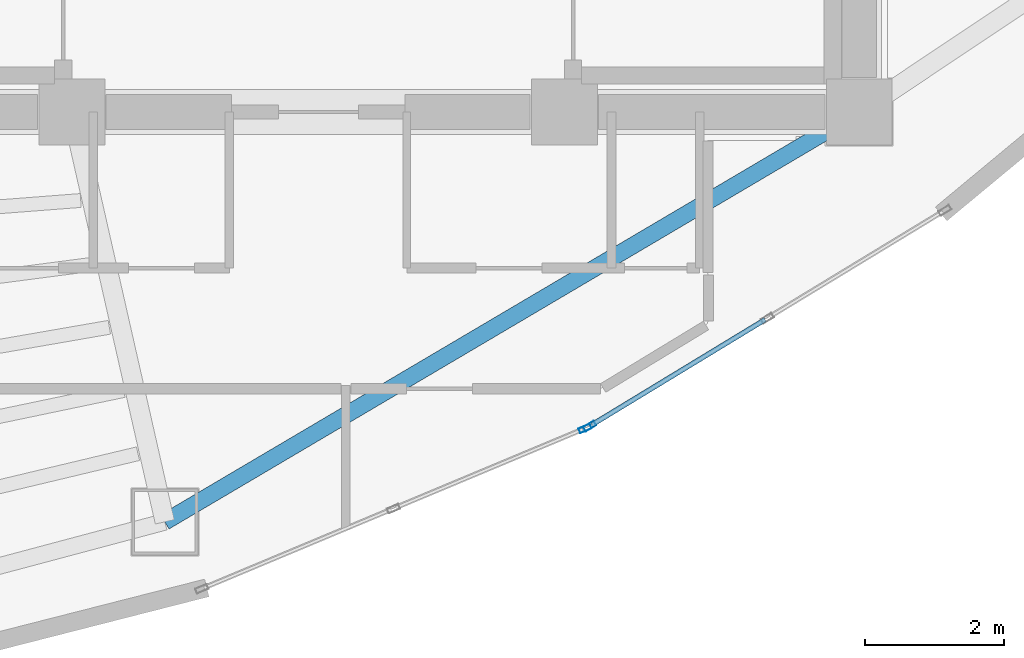
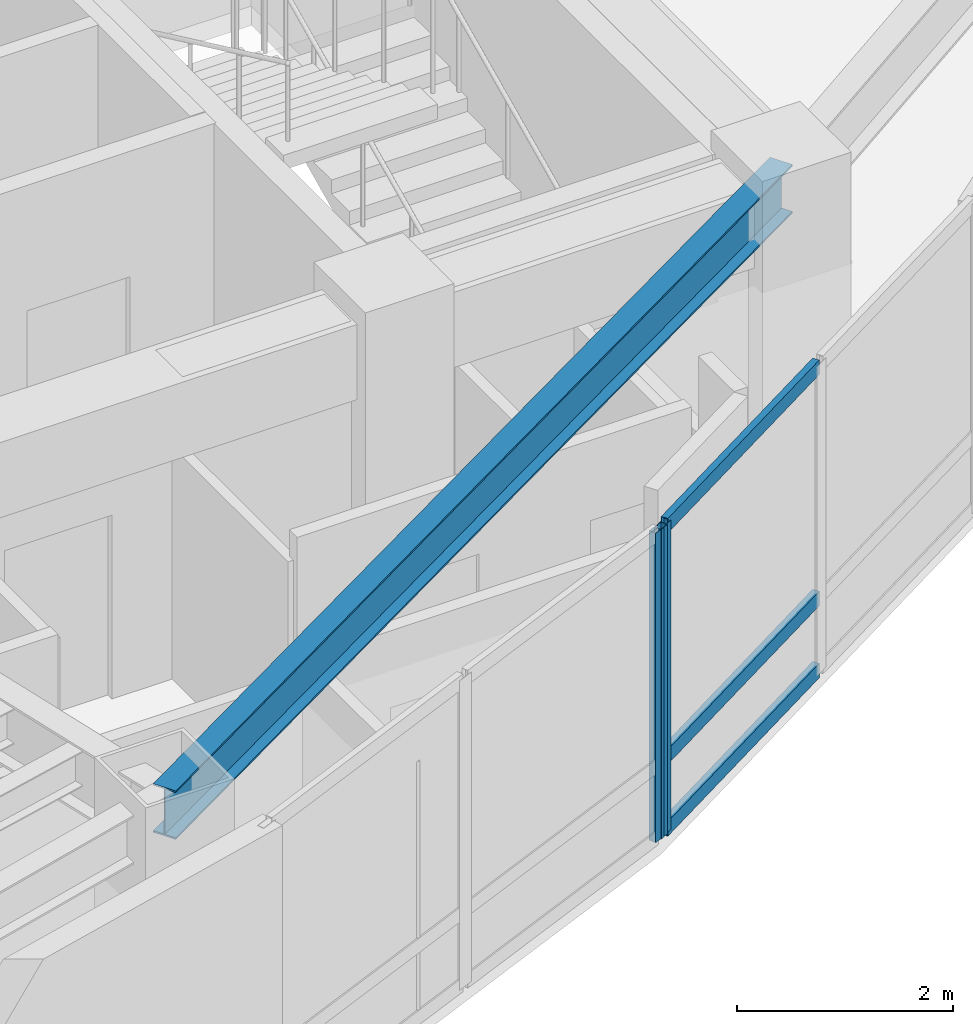
# One storey, part 4 of 16: 5 members, 1 beam, 2 elements without a shape of their own.
"""IFC4 building model written with IfcOpenShell, lengths in metres."""

from ifc_helpers import new_model, si_unit, direction, frame, origin, origin_2d, place, context, subcontext, project, spatial, hollow_rectangle, i_section, extrude, material, layer, layer_set, material_profile, profile_set, type_object, element, aggregate, save


model = new_model("IFC4")

# Units and contexts
model_context = context("Model", 3, precision=1e-05, world=origin(), true_north=direction((0.0, 1.0)))
body_context = subcontext(model_context, "Body", "Model", "MODEL_VIEW")
ifc_project = project(units=[si_unit("LENGTHUNIT", "METRE"), si_unit("AREAUNIT", "SQUARE_METRE"), si_unit("VOLUMEUNIT", "CUBIC_METRE"), si_unit("PLANEANGLEUNIT", "RADIAN"), si_unit("MASSUNIT", "GRAM", prefix="KILO")], contexts=[model_context])

# Site, building, storey
site_placement = place(None, origin())
site = spatial("IfcSite", under=ifc_project, at=site_placement, CompositionType="ELEMENT")
building_placement = place(site_placement, origin())
building = spatial("IfcBuilding", under=site, at=building_placement, Name="Menara Vayukalpa", CompositionType="ELEMENT")
storey_placement = place(building_placement, frame((0.0, 0.0, 198.9599609375)))
storey = spatial("IfcBuildingStorey", under=building, at=storey_placement, Name="L50", CompositionType="ELEMENT", Elevation=198.9599609375)

# Beam
ifc_material_1 = material(Name="Steel S355", Category="steel")
ifc_material_profile_1 = material_profile(ifc_material_1, i_section(OverallWidth=0.239990234375, OverallDepth=0.550048828125, WebThickness=0.010986328125, FlangeThickness=0.01904296875, at=origin_2d()), Name="WF 550x240x11x19")
ifc_profile_set_1 = profile_set([ifc_material_profile_1], Name="Steel S355")
beam_type = type_object("IfcBeamType", Name="BM-SP2", PredefinedType="SPANDREL", material=ifc_profile_set_1)
beam_placement = place(storey_placement, frame((23.389404296875, 11.29150390625, 3.22509765625), z_axis=(0.861184403346, 0.508292655302, 0.0), x_axis=(-0.508292655302, 0.861184403346, 0.0)))
element("IfcBeam", 1, at=beam_placement, inside=storey, type_object=beam_type, Name="L50 Perimeter Spandrel Beam SP08", PredefinedType="SPANDREL", context=body_context, shape_type="SweptSolid", body=[
    extrude(i_section(OverallWidth=0.239990234375, OverallDepth=0.550048828125, WebThickness=0.010986328125, FlangeThickness=0.01904296875, at=origin_2d()), origin(), (0.0, 0.0, 1.0), 11.6240234375),
])

# Curtain wall, member
ifc_material_2 = material(Name="Anodised Terracotta Aluminium Alloy 6063-T6", Category="masonry")
ifc_layer = layer(ifc_material_2, 0.179931640625)
ifc_layer_set = layer_set([ifc_layer], Name="Anodised Terracotta Aluminium Alloy 6063-T6")
curtain_wall_type = type_object("IfcCurtainWallType", Name="CW-CW4", PredefinedType="USERDEFINED", material=ifc_layer_set)
curtain_wall_1_placement = place(storey_placement, origin())
curtain_wall_1 = element("IfcCurtainWall", 2, at=curtain_wall_1_placement, inside=storey, type_object=curtain_wall_type, Name="L50 Sky Bar Cantilever Glazed Curtain Wall CW4 19", ObjectType="UNITISED", PredefinedType="USERDEFINED")
ifc_material_3 = material(Name="Anodised Terracotta Aluminium Alloy 6063-T6", Category="masonry")
ifc_material_profile_2 = material_profile(ifc_material_3, hollow_rectangle(XDim=0.074951171875, YDim=0.179931640625, WallThickness=0.00390625, at=origin_2d()), Name="ALU 75x180x4")
ifc_profile_set_2 = profile_set([ifc_material_profile_2], Name="Anodised Terracotta Aluminium Alloy 6063-T6")
member_type_1 = type_object("IfcMemberType", Name="CWM-CW4", PredefinedType="MULLION", material=ifc_profile_set_2)
member_1_placement = place(storey_placement, frame((29.44921875, 12.637451171875, 0.0), z_axis=(0.0, 0.0, 1.0), x_axis=(-0.385902834406, 0.922539431351, 0.0)))
member_1 = element("IfcMember", 3, at=member_1_placement, type_object=member_type_1, Name="CW4 mullion 3", PredefinedType="MULLION", context=body_context, shape_type="SweptSolid", body=[
    extrude(hollow_rectangle(XDim=0.074951171875, YDim=0.179931640625, WallThickness=0.00390625, at=origin_2d()), origin(), (0.0, 0.0, 1.0), 3.5),
])
aggregate(curtain_wall_1, [member_1])

# Curtain wall, members
curtain_wall_2_placement = place(storey_placement, origin())
curtain_wall_2 = element("IfcCurtainWall", 4, at=curtain_wall_2_placement, inside=storey, type_object=curtain_wall_type, Name="L50 Sky Bar Cantilever Glazed Curtain Wall CW4 20", ObjectType="UNITISED", PredefinedType="USERDEFINED")
member_2_placement = place(storey_placement, frame((29.515869140625, 12.67138671875, 0.0), z_axis=(0.0, 0.0, 1.0), x_axis=(-0.519179911779, 0.854664974832, 0.0)))
member_2 = element("IfcMember", 5, at=member_2_placement, type_object=member_type_1, Name="CW4 mullion 1", PredefinedType="MULLION", context=body_context, shape_type="SweptSolid", body=[
    extrude(hollow_rectangle(XDim=0.074951171875, YDim=0.179931640625, WallThickness=0.00390625, at=origin_2d()), origin(), (0.0, 0.0, 1.0), 3.5),
])
ifc_material_4 = material(Name="Anodised Terracotta Aluminium Alloy 6063-T6", Category="masonry")
ifc_material_profile_3 = material_profile(ifc_material_4, hollow_rectangle(XDim=0.070068359375, YDim=0.1650390625, WallThickness=0.00390625, at=origin_2d()), Name="ALU 70x165x4")
ifc_profile_set_3 = profile_set([ifc_material_profile_3], Name="Anodised Terracotta Aluminium Alloy 6063-T6")
member_type_2 = type_object("IfcMemberType", Name="CWT-CW4", PredefinedType="USERDEFINED", material=ifc_profile_set_3)
member_3_placement = place(storey_placement, frame((29.5478515625, 12.69091796875, 0.03515625), z_axis=(0.854684171336, 0.519148309511, 0.0), x_axis=(-0.519148309511, 0.854684171336, 0.0)))
member_3 = element("IfcMember", 6, at=member_3_placement, type_object=member_type_2, Name="CW4 transom 1.1", ObjectType="TRANSOM", PredefinedType="USERDEFINED", context=body_context, shape_type="SweptSolid", body=[
    extrude(hollow_rectangle(XDim=0.070068359375, YDim=0.1650390625, WallThickness=0.00390625, at=origin_2d()), origin(), (0.0, 0.0, 1.0), 2.919921875),
])
member_4_placement = place(storey_placement, frame((29.5478515625, 12.69091796875, 0.85009765625), z_axis=(0.854684171336, 0.519148309511, 0.0), x_axis=(-0.519148309511, 0.854684171336, 0.0)))
member_4 = element("IfcMember", 7, at=member_4_placement, type_object=member_type_2, Name="CW4 transom 1.2", ObjectType="TRANSOM", PredefinedType="USERDEFINED", context=body_context, shape_type="SweptSolid", body=[
    extrude(hollow_rectangle(XDim=0.070068359375, YDim=0.1650390625, WallThickness=0.00390625, at=origin_2d()), origin(), (0.0, 0.0, 1.0), 2.919921875),
])
member_5_placement = place(storey_placement, frame((29.5478515625, 12.69091796875, 3.465087890625), z_axis=(0.854684171336, 0.519148309511, 0.0), x_axis=(-0.519148309511, 0.854684171336, 0.0)))
member_5 = element("IfcMember", 8, at=member_5_placement, type_object=member_type_2, Name="CW4 transom 1.3", ObjectType="TRANSOM", PredefinedType="USERDEFINED", context=body_context, shape_type="SweptSolid", body=[
    extrude(hollow_rectangle(XDim=0.070068359375, YDim=0.1650390625, WallThickness=0.00390625, at=origin_2d()), origin(), (0.0, 0.0, 1.0), 2.919921875),
])
aggregate(curtain_wall_2, [member_2, member_3, member_4, member_5])

save(model, "model.ifc")
